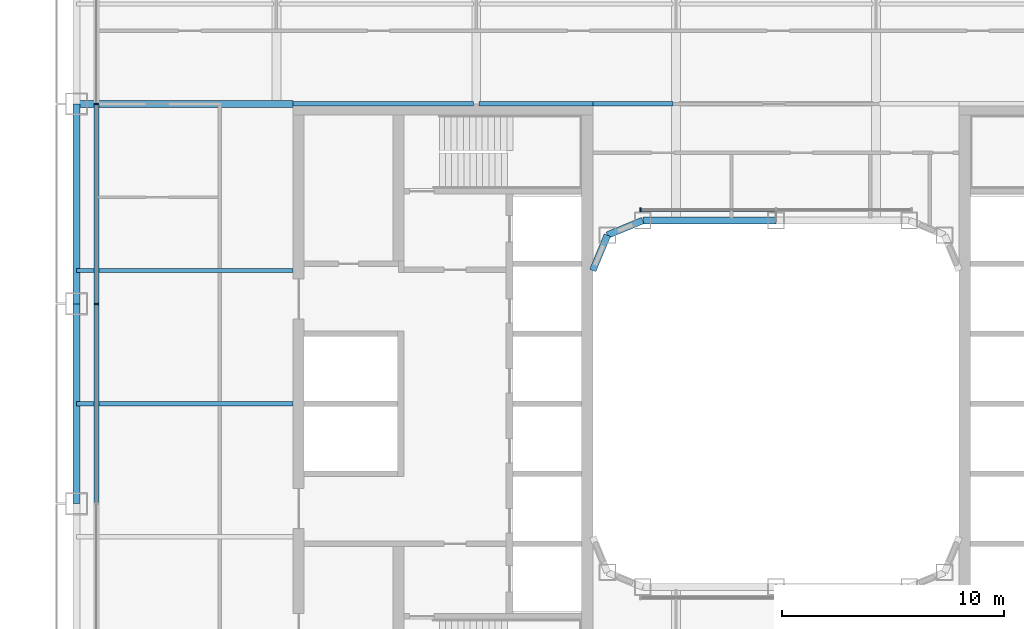
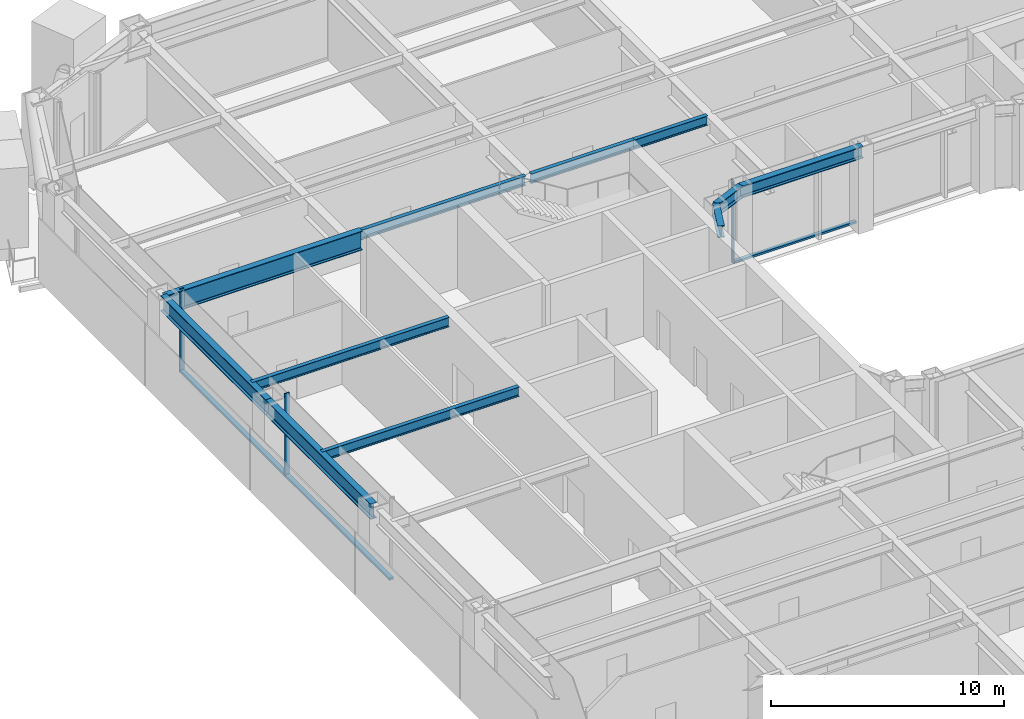
# One storey, part 6 of 28: 11 beams, 6 members, 2 elements without a shape of their own.
"""IFC4 building model written with IfcOpenShell, lengths in metres."""

from ifc_helpers import new_model, si_unit, direction, frame, origin, origin_2d, place, context, subcontext, project, spatial, rectangle, i_section, extrude, material, layer, layer_set, material_profile, profile_set, type_object, element, aggregate, save


model = new_model("IFC4")

# Units and contexts
model_context = context("Model", 3, precision=1e-05, world=origin(), true_north=direction((0.0, 1.0)))
body_context = subcontext(model_context, "Body", "Model", "MODEL_VIEW")
ifc_project = project(units=[si_unit("LENGTHUNIT", "METRE"), si_unit("AREAUNIT", "SQUARE_METRE"), si_unit("VOLUMEUNIT", "CUBIC_METRE"), si_unit("PLANEANGLEUNIT", "RADIAN"), si_unit("MASSUNIT", "GRAM", prefix="KILO")], contexts=[model_context])

# Site, building, storey
site_placement = place(None, origin())
site = spatial("IfcSite", under=ifc_project, at=site_placement, CompositionType="ELEMENT")
building_placement = place(site_placement, origin())
building = spatial("IfcBuilding", under=site, at=building_placement, Name="Siwar Civic Tower", CompositionType="ELEMENT")
storey_placement = place(building_placement, frame((0.0, 0.0, 85.199951171875)))
storey = spatial("IfcBuildingStorey", under=building, at=storey_placement, Name="L18", CompositionType="ELEMENT", Elevation=85.199951171875)

# Curtain wall, members
ifc_material_1 = material(Name="Aluminium and glass", Category="aluminium")
ifc_layer_1 = layer(ifc_material_1, 0.219970703125)
ifc_layer_set_1 = layer_set([ifc_layer_1], Name="Aluminium and glass")
curtain_wall_type_1 = type_object("IfcCurtainWallType", Name="ENV-CW-A", PredefinedType="NOTDEFINED", material=ifc_layer_set_1)
curtain_wall_1_placement = place(storey_placement, origin())
curtain_wall_1 = element("IfcCurtainWall", 1, at=curtain_wall_1_placement, inside=storey, type_object=curtain_wall_type_1, Name="Curtain wall A W", PredefinedType="NOTDEFINED")
ifc_material_2 = material(Name="Aluminium 6063-T6", Category="aluminium")
ifc_material_profile_1 = material_profile(ifc_material_2, rectangle(XDim=0.219970703125, YDim=0.070068359375, at=origin_2d()), Name="AL 220x70")
ifc_profile_set_1 = profile_set([ifc_material_profile_1], Name="Aluminium 6063-T6")
member_type_1 = type_object("IfcMemberType", Name="ENV-MULLION-A", PredefinedType="MULLION", material=ifc_profile_set_1)
member_1_placement = place(storey_placement, frame((-30.60009765625, 13.5, 0.0), z_axis=(0.0, 0.0, 1.0), x_axis=(1.0, 0.0, 0.0)))
member_1 = element("IfcMember", 2, at=member_1_placement, type_object=member_type_1, Name="Mullion A W 2", PredefinedType="MULLION", context=body_context, shape_type="SweptSolid", body=[
    extrude(rectangle(XDim=0.219970703125, YDim=0.070068359375, at=origin_2d()), origin(), (0.0, 0.0, 1.0), 4.35009765625),
])
member_2_placement = place(storey_placement, frame((-30.60009765625, 4.5, 0.0), z_axis=(0.0, 0.0, 1.0), x_axis=(1.0, 0.0, 0.0)))
member_2 = element("IfcMember", 3, at=member_2_placement, type_object=member_type_1, Name="Mullion A W 3", PredefinedType="MULLION", context=body_context, shape_type="SweptSolid", body=[
    extrude(rectangle(XDim=0.219970703125, YDim=0.070068359375, at=origin_2d()), origin(), (0.0, 0.0, 1.0), 4.35009765625),
])

# Curtain wall, member
ifc_material_3 = material(Name="Aluminium and glass", Category="aluminium")
ifc_layer_2 = layer(ifc_material_3, 0.179931640625)
ifc_layer_set_2 = layer_set([ifc_layer_2], Name="Aluminium and glass")
curtain_wall_type_2 = type_object("IfcCurtainWallType", Name="ENV-CW-W", PredefinedType="NOTDEFINED", material=ifc_layer_set_2)
curtain_wall_2_placement = place(storey_placement, origin())
curtain_wall_2 = element("IfcCurtainWall", 4, at=curtain_wall_2_placement, inside=storey, type_object=curtain_wall_type_2, Name="Curtain wall W WN", PredefinedType="NOTDEFINED")
ifc_material_4 = material(Name="Aluminium 6063-T6", Category="aluminium")
ifc_material_profile_2 = material_profile(ifc_material_4, rectangle(XDim=0.179931640625, YDim=0.06005859375, at=origin_2d()), Name="AL 180x60")
ifc_profile_set_2 = profile_set([ifc_material_profile_2], Name="Aluminium 6063-T6")
member_type_2 = type_object("IfcMemberType", Name="ENV-MULLION-W", PredefinedType="MULLION", material=ifc_profile_set_2)
member_3_placement = place(storey_placement, frame((-6.096435546875, 8.735107421875, 0.0), z_axis=(0.0, 0.0, 1.0), x_axis=(0.0, -1.0, 0.0)))
member_3 = element("IfcMember", 5, at=member_3_placement, type_object=member_type_2, Name="Mullion W WN 3", PredefinedType="MULLION", context=body_context, shape_type="SweptSolid", body=[
    extrude(rectangle(XDim=0.179931640625, YDim=0.06005859375, at=origin_2d()), origin(), (0.0, 0.0, 1.0), 4.35009765625),
])

# Member
ifc_material_5 = material(Name="Aluminium 6063-T6", Category="aluminium")
ifc_material_profile_3 = material_profile(ifc_material_5, rectangle(XDim=0.219970703125, YDim=0.1201171875, at=origin_2d()), Name="AL 220x120")
ifc_profile_set_3 = profile_set([ifc_material_profile_3], Name="Aluminium 6063-T6")
member_type_3 = type_object("IfcMemberType", Name="ENV-TRANSOM-A", PredefinedType="USERDEFINED", material=ifc_profile_set_3)
member_4_placement = place(storey_placement, frame((-30.60009765625, 13.465087890625, 0.06005859375), z_axis=(0.0, -1.0, 0.0), x_axis=(1.0, 0.0, 0.0)))
member_4 = element("IfcMember", 6, at=member_4_placement, type_object=member_type_3, Name="Transom A W 2", ObjectType="TRANSOM", PredefinedType="USERDEFINED", context=body_context, shape_type="SweptSolid", body=[
    extrude(rectangle(XDim=0.219970703125, YDim=0.1201171875, at=origin_2d()), origin(), (0.0, 0.0, 1.0), 8.93017578125),
])

member_5_placement = place(storey_placement, frame((-30.60009765625, 4.465087890625, 0.06005859375), z_axis=(0.0, -1.0, 0.0), x_axis=(1.0, 0.0, 0.0)))
member_5 = element("IfcMember", 7, at=member_5_placement, type_object=member_type_3, Name="Transom A W 3", ObjectType="TRANSOM", PredefinedType="USERDEFINED", context=body_context, shape_type="SweptSolid", body=[
    extrude(rectangle(XDim=0.219970703125, YDim=0.1201171875, at=origin_2d()), origin(), (0.0, 0.0, 1.0), 8.93017578125),
])

aggregate(curtain_wall_1, [member_1, member_2, member_4, member_5])

ifc_material_6 = material(Name="Aluminium 6063-T6", Category="aluminium")
ifc_material_profile_4 = material_profile(ifc_material_6, rectangle(XDim=0.179931640625, YDim=0.10009765625, at=origin_2d()), Name="AL 180x100")
ifc_profile_set_4 = profile_set([ifc_material_profile_4], Name="Aluminium 6063-T6")
member_type_4 = type_object("IfcMemberType", Name="ENV-TRANSOM-W", PredefinedType="USERDEFINED", material=ifc_profile_set_4)
member_6_placement = place(storey_placement, frame((-0.030029296875, 8.735107421875, 0.050048828125), z_axis=(-1.0, 0.0, 0.0), x_axis=(0.0, -1.0, 0.0)))
member_6 = element("IfcMember", 8, at=member_6_placement, type_object=member_type_4, Name="Transom W WN 2", ObjectType="TRANSOM", PredefinedType="USERDEFINED", context=body_context, shape_type="SweptSolid", body=[
    extrude(rectangle(XDim=0.179931640625, YDim=0.10009765625, at=origin_2d()), origin(), (0.0, 0.0, 1.0), 6.036376953125),
])

aggregate(curtain_wall_2, [member_3, member_6])

# Beams
ifc_material_7 = material(Name="Steel S355", Category="steel")
ifc_material_profile_5 = material_profile(ifc_material_7, i_section(OverallWidth=0.199951171875, OverallDepth=0.5, WebThickness=0.01025390625, FlangeThickness=0.01611328125, FilletRadius=0.02099609375, at=origin_2d()), Name="IPE500")
ifc_profile_set_5 = profile_set([ifc_material_profile_5], Name="Steel S355")
beam_type_1 = type_object("IfcBeamType", Name="STR-FB-IPE500", PredefinedType="JOIST", material=ifc_profile_set_5)
for number, where, z_axis, x_axis, name in (
    (9, (-31.5, 0.0, 4.10009765625), (1.0, 0.0, 0.0), (0.0, 1.0, 0.0), "L18/bm/F033"),
    (10, (-31.5, 6.0, 4.10009765625), (1.0, 0.0, 0.0), (0.0, 1.0, 0.0), "L18/bm/F035"),
):
    element("IfcBeam", number, at=place(storey_placement, frame(where, z_axis=z_axis, x_axis=x_axis)), inside=storey, type_object=beam_type_1, Name=name, PredefinedType="JOIST", context=body_context, shape_type="SweptSolid", body=[
        extrude(i_section(OverallWidth=0.199951171875, OverallDepth=0.5, WebThickness=0.01025390625, FlangeThickness=0.01611328125, FilletRadius=0.02099609375, at=origin_2d()), origin(), (0.0, 0.0, 1.0), 9.75),
    ])
beam_1_placement = place(storey_placement, frame((-21.75, 13.5, 4.10009765625), z_axis=(1.0, 0.0, 0.0), x_axis=(0.0, 1.0, 0.0)))
element("IfcBeam", 11, at=beam_1_placement, inside=storey, type_object=beam_type_1, Name="L18/bm/F038", PredefinedType="JOIST", context=body_context, shape_type="SweptSolid", body=[
    extrude(i_section(OverallWidth=0.199951171875, OverallDepth=0.5, WebThickness=0.01025390625, FlangeThickness=0.01611328125, FilletRadius=0.02099609375, at=origin_2d()), origin(), (0.0, 0.0, 1.0), 8.1201171875),
])
beam_2_placement = place(storey_placement, frame((-13.3701171875, 13.5, 4.10009765625), z_axis=(1.0, 0.0, 0.0), x_axis=(0.0, 1.0, 0.0)))
element("IfcBeam", 12, at=beam_2_placement, inside=storey, type_object=beam_type_1, Name="L18/bm/F039", PredefinedType="JOIST", context=body_context, shape_type="SweptSolid", body=[
    extrude(i_section(OverallWidth=0.199951171875, OverallDepth=0.5, WebThickness=0.01025390625, FlangeThickness=0.01611328125, FilletRadius=0.02099609375, at=origin_2d()), origin(), (0.0, 0.0, 1.0), 5.1201171875),
])
beam_3_placement = place(storey_placement, frame((-8.25, 13.5, 4.10009765625), z_axis=(1.0, 0.0, 0.0), x_axis=(0.0, 1.0, 0.0)))
element("IfcBeam", 13, at=beam_3_placement, inside=storey, type_object=beam_type_1, Name="L18/bm/F040", PredefinedType="JOIST", context=body_context, shape_type="SweptSolid", body=[
    extrude(i_section(OverallWidth=0.199951171875, OverallDepth=0.5, WebThickness=0.01025390625, FlangeThickness=0.01611328125, FilletRadius=0.02099609375, at=origin_2d()), origin(), (0.0, 0.0, 1.0), 3.6201171875),
])
ifc_material_8 = material(Name="Steel S355", Category="steel")
ifc_material_profile_6 = material_profile(ifc_material_8, i_section(OverallWidth=0.300048828125, OverallDepth=1.0, WebThickness=0.01904296875, FlangeThickness=0.035888671875, FilletRadius=0.030029296875, at=origin_2d()), Name="HEB1000")
ifc_profile_set_6 = profile_set([ifc_material_profile_6], Name="Steel S355")
beam_type_2 = type_object("IfcBeamType", Name="STR-PG-HEB1000", PredefinedType="BEAM", material=ifc_profile_set_6)
beam_4_placement = place(storey_placement, frame((-31.5, 13.5, 3.85009765625), z_axis=(1.0, 0.0, 0.0), x_axis=(0.0, 1.0, 0.0)))
element("IfcBeam", 14, at=beam_4_placement, inside=storey, type_object=beam_type_2, Name="L18/bm/F037", PredefinedType="BEAM", context=body_context, shape_type="SweptSolid", body=[
    extrude(i_section(OverallWidth=0.300048828125, OverallDepth=1.0, WebThickness=0.01904296875, FlangeThickness=0.035888671875, FilletRadius=0.030029296875, at=origin_2d()), origin(), (0.0, 0.0, 1.0), 9.75),
])
ifc_material_9 = material(Name="Steel S355", Category="steel")
ifc_material_profile_7 = material_profile(ifc_material_9, i_section(OverallWidth=0.304931640625, OverallDepth=0.6201171875, WebThickness=0.02099609375, FlangeThickness=0.0400390625, FilletRadius=0.027099609375, at=origin_2d()), Name="HEM600")
ifc_profile_set_7 = profile_set([ifc_material_profile_7], Name="Steel S355")
beam_type_3 = type_object("IfcBeamType", Name="STR-RB-HEM600", PredefinedType="BEAM", material=ifc_profile_set_7)
beam_5_placement = place(storey_placement, frame((-7.591064453125, 7.591064453125, 4.0400390625), z_axis=(0.923901072997, 0.382631424892, 0.0), x_axis=(-0.382631424892, 0.923901072997, 0.0)))
element("IfcBeam", 15, at=beam_5_placement, inside=storey, type_object=beam_type_3, Name="L18/bm/RN0", PredefinedType="BEAM", context=body_context, shape_type="SweptSolid", body=[
    extrude(i_section(OverallWidth=0.304931640625, OverallDepth=0.6201171875, WebThickness=0.02099609375, FlangeThickness=0.0400390625, FilletRadius=0.027099609375, at=origin_2d()), origin(), (0.0, 0.0, 1.0), 1.72216796875),
])
beam_6_placement = place(storey_placement, frame((-6.0, 8.25, 4.0400390625), z_axis=(1.0, 0.0, 0.0), x_axis=(0.0, 1.0, 0.0)))
element("IfcBeam", 16, at=beam_6_placement, inside=storey, type_object=beam_type_3, Name="L18/bm/RN1", PredefinedType="BEAM", context=body_context, shape_type="SweptSolid", body=[
    extrude(i_section(OverallWidth=0.304931640625, OverallDepth=0.6201171875, WebThickness=0.02099609375, FlangeThickness=0.0400390625, FilletRadius=0.027099609375, at=origin_2d()), origin(), (0.0, 0.0, 1.0), 6.0),
])
beam_7_placement = place(storey_placement, frame((-7.591064453125, 7.591064453125, 4.0400390625), z_axis=(-0.382631424892, -0.923901072997, 0.0), x_axis=(0.923901072997, -0.382631424892, 0.0)))
element("IfcBeam", 17, at=beam_7_placement, inside=storey, type_object=beam_type_3, Name="L18/bm/RNEW", PredefinedType="BEAM", context=body_context, shape_type="SweptSolid", body=[
    extrude(i_section(OverallWidth=0.304931640625, OverallDepth=0.6201171875, WebThickness=0.02099609375, FlangeThickness=0.0400390625, FilletRadius=0.027099609375, at=origin_2d()), origin(), (0.0, 0.0, 1.0), 1.72216796875),
])
ifc_material_10 = material(Name="Steel S355", Category="steel")
ifc_material_profile_8 = material_profile(ifc_material_10, i_section(OverallWidth=0.302978515625, OverallDepth=0.81396484375, WebThickness=0.02099609375, FlangeThickness=0.0400390625, FilletRadius=0.030029296875, at=origin_2d()), Name="HEM800")
ifc_profile_set_8 = profile_set([ifc_material_profile_8], Name="Steel S355")
beam_type_4 = type_object("IfcBeamType", Name="STR-SB-HEM800", PredefinedType="BEAM", material=ifc_profile_set_8)
for number, where, z_axis, x_axis, name in (
    (18, (-31.5, 13.5, 3.943115234375), (0.0, -1.0, 0.0), (1.0, 0.0, 0.0), "L18/bm/SW-1"),
    (19, (-31.5, 4.5, 3.943115234375), (0.0, -1.0, 0.0), (1.0, 0.0, 0.0), "L18/bm/SW-2"),
):
    element("IfcBeam", number, at=place(storey_placement, frame(where, z_axis=z_axis, x_axis=x_axis)), inside=storey, type_object=beam_type_4, Name=name, PredefinedType="BEAM", context=body_context, shape_type="SweptSolid", body=[
        extrude(i_section(OverallWidth=0.302978515625, OverallDepth=0.81396484375, WebThickness=0.02099609375, FlangeThickness=0.0400390625, FilletRadius=0.030029296875, at=origin_2d()), origin(), (0.0, 0.0, 1.0), 9.0),
    ])

save(model, "model.ifc")
